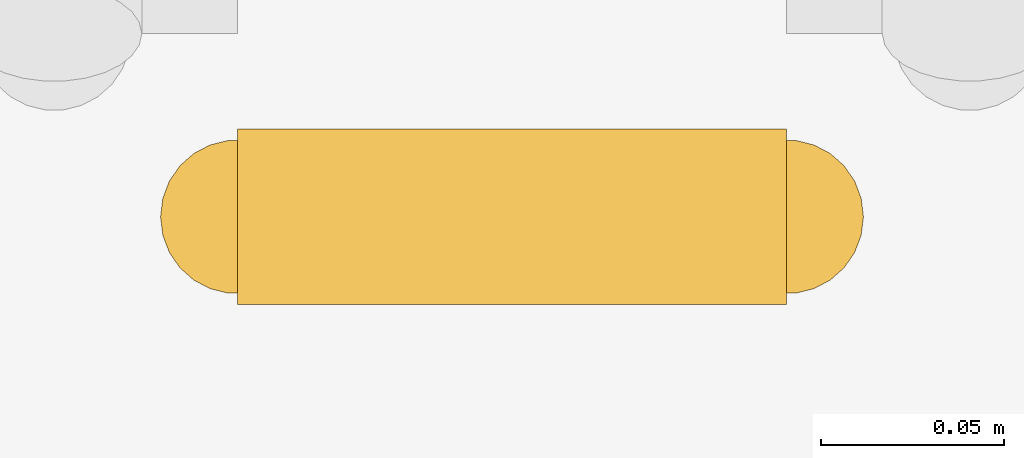
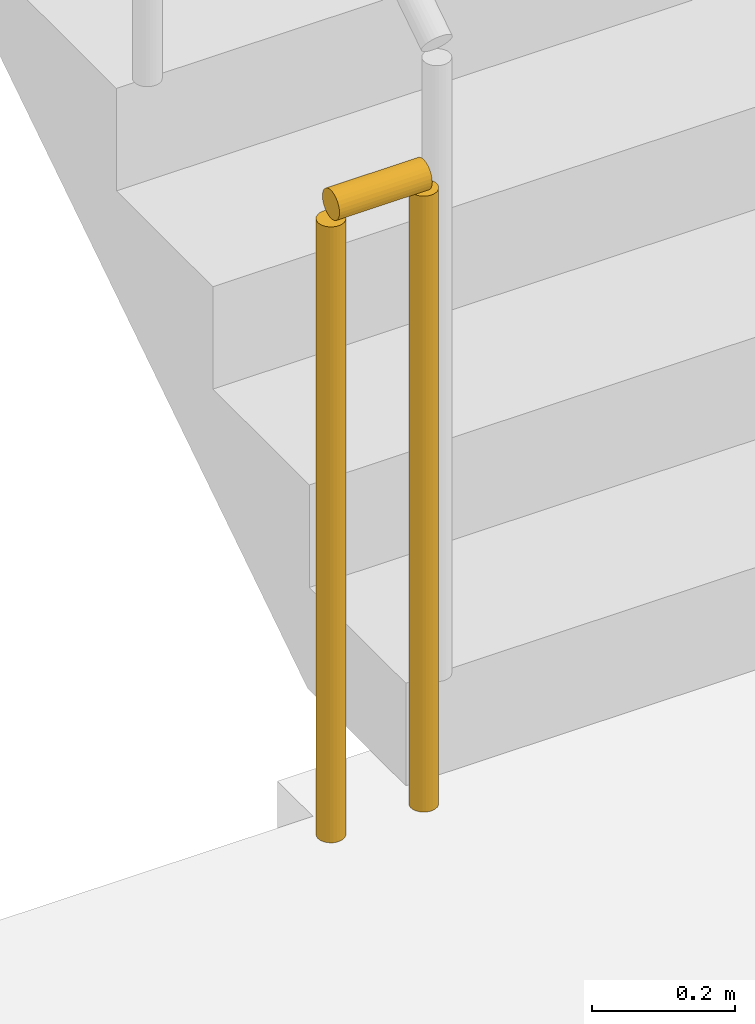
# One storey, part 17 of 20: 1 railing.
"""IFC4 building model written with IfcOpenShell, lengths in metres."""

from ifc_helpers import new_model, si_unit, direction, frame, origin, origin_2d, place, context, subcontext, project, spatial, circle, extrude, material, type_object, element, save


model = new_model("IFC4")

# Units and contexts
model_context = context("Model", 3, precision=1e-05, world=origin(), true_north=direction((0.0, 1.0)))
body_context = subcontext(model_context, "Body", "Model", "MODEL_VIEW")
ifc_project = project(units=[si_unit("LENGTHUNIT", "METRE"), si_unit("AREAUNIT", "SQUARE_METRE"), si_unit("VOLUMEUNIT", "CUBIC_METRE"), si_unit("PLANEANGLEUNIT", "RADIAN"), si_unit("MASSUNIT", "GRAM", prefix="KILO")], contexts=[model_context])

# Site, building, storey
site_placement = place(None, origin())
site = spatial("IfcSite", under=ifc_project, at=site_placement, CompositionType="ELEMENT")
building_placement = place(site_placement, origin())
building = spatial("IfcBuilding", under=site, at=building_placement, Name="Saffron Iwan Residences", CompositionType="ELEMENT")
storey_placement = place(building_placement, frame((0.0, 0.0, 123.5)))
storey = spatial("IfcBuildingStorey", under=building, at=storey_placement, Name="L32", CompositionType="ELEMENT", Elevation=123.5)

# Railing
ifc_material = material(Name="Steel S355", Category="steel")
railing_type = type_object("IfcRailingType", Name="Stair guard 1100", PredefinedType="GUARDRAIL", material=ifc_material)
railing_placement = place(storey_placement, frame((69.699951171875, 67.800048828125, 0.0)))
element("IfcRailing", 1, at=railing_placement, inside=storey, type_object=railing_type, Name="L32 ST-E stair guard 2", PredefinedType="GUARDRAIL", context=body_context, shape_type="SweptSolid", body=[
    extrude(circle(Radius=0.02392578125, at=origin_2d()), frame((0.0, 0.0, 1.076171875), z_axis=(-1.0, 0.0, 0.0), x_axis=(0.0, -1.0, 0.0)), (0.0, 0.0, 1.0), 0.14990234375),
    extrude(circle(Radius=0.02099609375, at=origin_2d()), origin(), (0.0, 0.0, 1.0), 1.052001953125),
    extrude(circle(Radius=0.02099609375, at=origin_2d()), frame((-0.14990234375, 0.0, 0.0)), (0.0, 0.0, 1.0), 1.052001953125),
])

save(model, "model.ifc")
